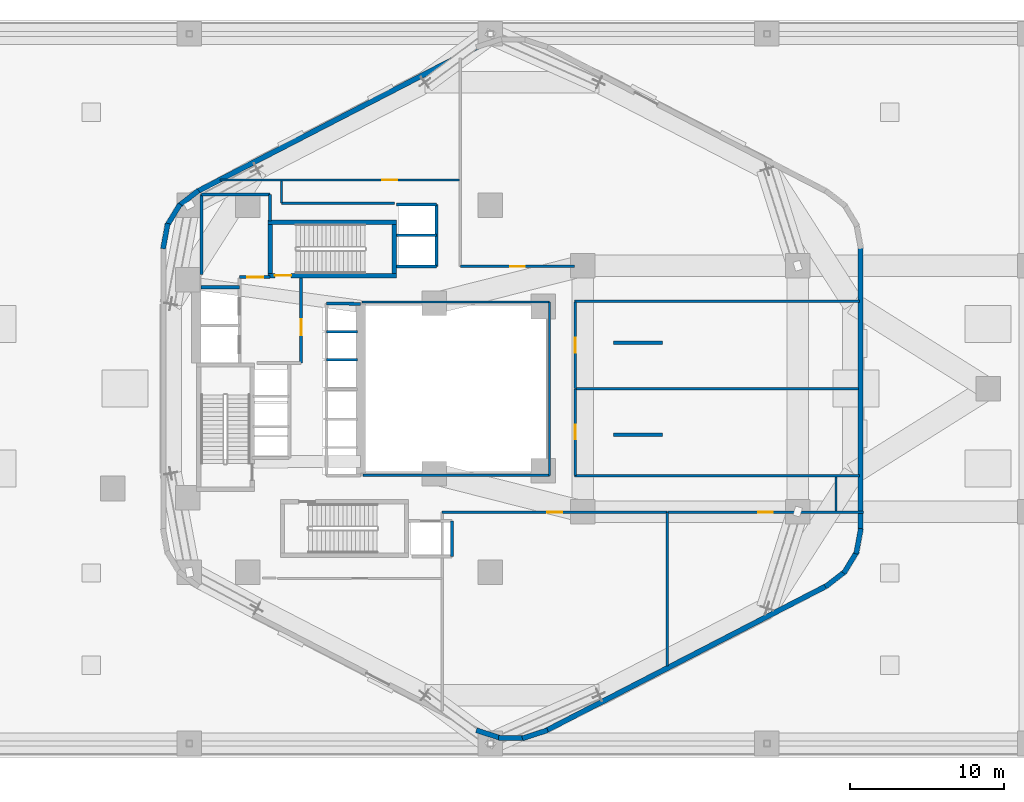
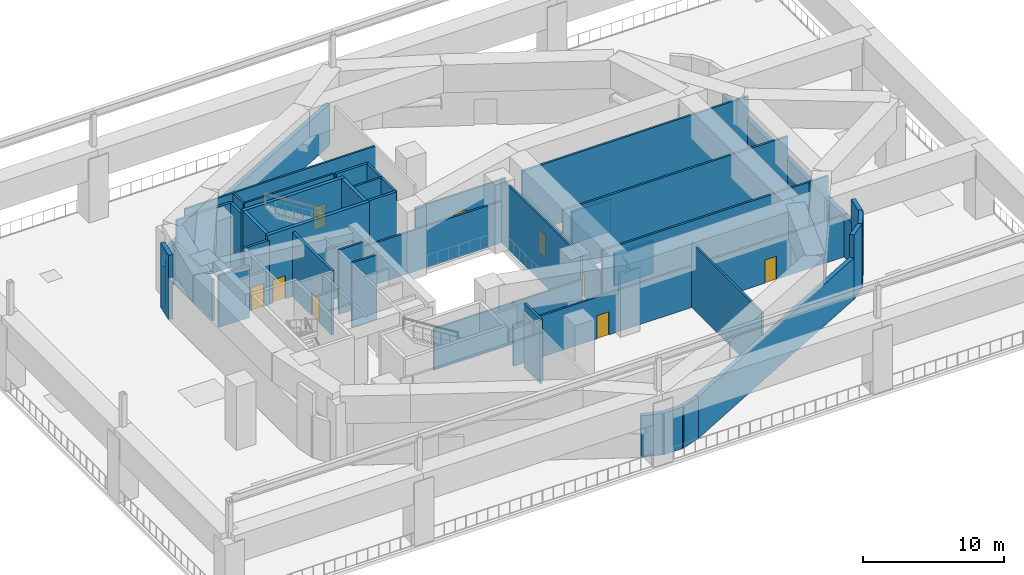
# One storey, part 10 of 15: 48 walls, 9 doors, 9 openings.
"""IFC4 building model written with IfcOpenShell, lengths in metres."""

from ifc_helpers import new_model, si_unit, direction, frame, frame_2d, origin, place, context, subcontext, project, spatial, rectangle, extrude, material, layer, layer_set, type_object, element, fill, save


model = new_model("IFC4")

# Units and contexts
model_context = context("Model", 3, precision=1e-05, world=origin(), true_north=direction((0.0, 1.0)))
body_context = subcontext(model_context, "Body", "Model", "MODEL_VIEW")
ifc_project = project(units=[si_unit("LENGTHUNIT", "METRE"), si_unit("AREAUNIT", "SQUARE_METRE"), si_unit("VOLUMEUNIT", "CUBIC_METRE"), si_unit("PLANEANGLEUNIT", "RADIAN"), si_unit("MASSUNIT", "GRAM", prefix="KILO"), si_unit("THERMODYNAMICTEMPERATUREUNIT", "KELVIN"), si_unit("POWERUNIT", "WATT")], contexts=[model_context])

# Site, building, storey
site_placement = place(None, origin())
site = spatial("IfcSite", under=ifc_project, at=site_placement, CompositionType="ELEMENT")
building_placement = place(site_placement, origin())
building = spatial("IfcBuilding", under=site, at=building_placement, Name="Skarre Station Tower", CompositionType="ELEMENT")
storey_placement = place(building_placement, frame((0.0, 0.0, 21.0)))
storey = spatial("IfcBuildingStorey", under=building, at=storey_placement, Name="L05", CompositionType="ELEMENT", Elevation=21.0)

# Walls
ifc_material_1 = material(Name="Acoustic Steel-Stud Gypsum Partition", Category="steel")
ifc_layer_1 = layer(ifc_material_1, 0.14990234375, Name="Acoustic Steel-Stud Gypsum Partition")
ifc_layer_set_1 = layer_set([ifc_layer_1], Name="Acoustic Steel-Stud Gypsum Partition")
wall_type_1 = type_object("IfcWallType", Name="Fire-Rated Corridor Acoustic Partition 150", PredefinedType="PARTITIONING", material=ifc_layer_set_1)
wall_1_placement = place(storey_placement, frame((27.699951171875, 18.360107421875, 0.0), z_axis=(0.0, 0.0, 1.0), x_axis=(1.0, 0.0, 0.0)))
element("IfcWall", 1, at=wall_1_placement, inside=storey, type_object=wall_type_1, Name="L05 Interior Partition WL-PT-L05-ATRW-S", PredefinedType="PARTITIONING", context=body_context, shape_type="SweptSolid", body=[
    extrude(rectangle(XDim=12.14013671875, YDim=0.14990234375, at=frame_2d((6.070068359375, 0.0))), origin(), (0.0, 0.0, 1.0), 3.60009765625),
])
wall_2_placement = place(storey_placement, frame((39.840087890625, 29.639892578125, 0.0), z_axis=(0.0, 0.0, 1.0), x_axis=(-1.0, 0.0, 0.0)))
element("IfcWall", 2, at=wall_2_placement, inside=storey, type_object=wall_type_1, Name="L05 Interior Partition WL-PT-L05-ATRW-N", PredefinedType="PARTITIONING", context=body_context, shape_type="SweptSolid", body=[
    extrude(rectangle(XDim=12.2001953125, YDim=0.14990234375, at=frame_2d((6.10009765625, 0.0))), origin(), (0.0, 0.0, 1.0), 3.60009765625),
])
wall_3_placement = place(storey_placement, frame((39.840087890625, 18.360107421875, 0.0), z_axis=(0.0, 0.0, 1.0), x_axis=(0.0, 1.0, 0.0)))
element("IfcWall", 3, at=wall_3_placement, inside=storey, type_object=wall_type_1, Name="L05 Interior Partition WL-PT-L05-ATRW-E", PredefinedType="PARTITIONING", context=body_context, shape_type="SweptSolid", body=[
    extrude(rectangle(XDim=11.27978515625, YDim=0.14990234375, at=frame_2d((5.639892578125, 0.0))), origin(), (0.0, 0.0, 1.0), 5.580078125),
])

# Wall, opening, door
wall_4_placement = place(storey_placement, frame((34.0, 37.580078125, 0.0), z_axis=(0.0, 0.0, 1.0), x_axis=(-1.0, 0.0, 0.0)))
wall_4 = element("IfcWall", 4, at=wall_4_placement, inside=storey, type_object=wall_type_1, Name="L05 Interior Partition WL-PT-L05-PLTNW1-CW", PredefinedType="PARTITIONING", context=body_context, shape_type="SweptSolid", body=[
    extrude(rectangle(XDim=15.60009765625, YDim=0.14990234375, at=frame_2d((7.800048828125, 0.0))), origin(), (0.0, 0.0, 1.0), 5.580078125),
])
opening_1_placement = place(wall_4_placement, frame((4.070068359375, 0.0, 0.0)))
opening_1 = element("IfcOpeningElement", 5, at=opening_1_placement, cuts=wall_4, Name="Opening DR-FD60", PredefinedType="OPENING", context=body_context, shape_type="SweptSolid", body=[
    extrude(rectangle(XDim=0.9599609375, YDim=2.0, at=frame_2d((0.47998046875, 1.0))), frame((0.0, 0.0849609375, 0.0), z_axis=(0.0, -1.0, 0.0), x_axis=(1.0, 0.0, 0.0)), (0.0, 0.0, 1.0), 0.169921875),
])
ifc_material_2 = material(Name="Nordic White-Oak Veneer Solid-Core Fire Leaf", Category="wood")
door_type_1 = type_object("IfcDoorType", Name="Corridor Suite Entry Fire Door FD60 960x2150", OperationType="SINGLE_SWING_LEFT", PredefinedType="DOOR", material=ifc_material_2)
door_1_placement = place(opening_1_placement, origin())
door_1 = element("IfcDoor", 6, at=door_1_placement, inside=storey, type_object=door_type_1, Name="L05 PLTNW1 Entry Door", OperationType="SINGLE_SWING_LEFT", OverallHeight=2.0, OverallWidth=0.9599609375, PredefinedType="DOOR", context=body_context, shape_type="SweptSolid", body=[
    extrude(rectangle(XDim=0.9599609375, YDim=2.0, at=frame_2d((0.47998046875, 1.0))), frame((0.0, 0.02490234375, 0.0), z_axis=(0.0, -1.0, 0.0), x_axis=(1.0, 0.0, 0.0)), (0.0, 0.0, 1.0), 0.050048828125),
])
fill(opening_1, door_1)

wall_5_placement = place(storey_placement, frame((41.47998046875, 31.9599609375, 0.0), z_axis=(0.0, 0.0, 1.0), x_axis=(-1.0, 0.0, 0.0)))
wall_5 = element("IfcWall", 7, at=wall_5_placement, inside=storey, type_object=wall_type_1, Name="L05 Interior Partition WL-PT-L05-PLTN1-CW", PredefinedType="PARTITIONING", context=body_context, shape_type="SweptSolid", body=[
    extrude(rectangle(XDim=7.43994140625, YDim=0.14990234375, at=frame_2d((3.719970703125, 0.0))), origin(), (0.0, 0.0, 1.0), 3.60009765625),
])
opening_2_placement = place(wall_5_placement, frame((3.239990234375, 0.0, 0.0)))
opening_2 = element("IfcOpeningElement", 8, at=opening_2_placement, cuts=wall_5, Name="Opening DR-FD60", PredefinedType="OPENING", context=body_context, shape_type="SweptSolid", body=[
    extrude(rectangle(XDim=0.9599609375, YDim=2.0, at=frame_2d((0.47998046875, 1.0))), frame((0.0, 0.0849609375, 0.0), z_axis=(0.0, -1.0, 0.0), x_axis=(1.0, 0.0, 0.0)), (0.0, 0.0, 1.0), 0.169921875),
])
door_2_placement = place(opening_2_placement, origin())
door_2 = element("IfcDoor", 9, at=door_2_placement, inside=storey, type_object=door_type_1, Name="L05 PLTN1 Entry Door", OperationType="SINGLE_SWING_LEFT", OverallHeight=2.0, OverallWidth=0.9599609375, PredefinedType="DOOR", context=body_context, shape_type="SweptSolid", body=[
    extrude(rectangle(XDim=0.9599609375, YDim=2.0, at=frame_2d((0.47998046875, 1.0))), frame((0.0, 0.02490234375, 0.0), z_axis=(0.0, -1.0, 0.0), x_axis=(1.0, 0.0, 0.0)), (0.0, 0.0, 1.0), 0.050048828125),
])
fill(opening_2, door_2)

wall_6_placement = place(storey_placement, frame((41.52001953125, 18.360107421875, 0.0), z_axis=(0.0, 0.0, 1.0), x_axis=(0.0, 1.0, 0.0)))
wall_6 = element("IfcWall", 10, at=wall_6_placement, inside=storey, type_object=wall_type_1, Name="L05 Interior Partition WL-PT-L05-PLTE1-CW", PredefinedType="PARTITIONING", context=body_context, shape_type="SweptSolid", body=[
    extrude(rectangle(XDim=5.621826171875, YDim=0.14990234375, at=frame_2d((2.81103515625, 0.0))), origin(), (0.0, 0.0, 1.0), 3.60009765625),
])
opening_3_placement = place(wall_6_placement, frame((2.3310546875, 0.0, 0.0)))
opening_3 = element("IfcOpeningElement", 11, at=opening_3_placement, cuts=wall_6, Name="Opening DR-FD60", PredefinedType="OPENING", context=body_context, shape_type="SweptSolid", body=[
    extrude(rectangle(XDim=0.9599609375, YDim=2.0, at=frame_2d((0.47998046875, 1.0))), frame((0.0, 0.0849609375, 0.0), z_axis=(0.0, -1.0, 0.0), x_axis=(1.0, 0.0, 0.0)), (0.0, 0.0, 1.0), 0.169921875),
])
door_3_placement = place(opening_3_placement, origin())
door_3 = element("IfcDoor", 12, at=door_3_placement, inside=storey, type_object=door_type_1, Name="L05 PLTE1 Entry Door", OperationType="SINGLE_SWING_LEFT", OverallHeight=2.0, OverallWidth=0.9599609375, PredefinedType="DOOR", context=body_context, shape_type="SweptSolid", body=[
    extrude(rectangle(XDim=0.9599609375, YDim=2.0, at=frame_2d((0.47998046875, 1.0))), frame((0.0, 0.02490234375, 0.0), z_axis=(0.0, -1.0, 0.0), x_axis=(1.0, 0.0, 0.0)), (0.0, 0.0, 1.0), 0.050048828125),
])
fill(opening_3, door_3)

wall_7_placement = place(storey_placement, frame((41.52001953125, 24.01806640625, 0.0), z_axis=(0.0, 0.0, 1.0), x_axis=(0.0, 1.0, 0.0)))
wall_7 = element("IfcWall", 13, at=wall_7_placement, inside=storey, type_object=wall_type_1, Name="L05 Interior Partition WL-PT-L05-PLTE2-CW", PredefinedType="PARTITIONING", context=body_context, shape_type="SweptSolid", body=[
    extrude(rectangle(XDim=5.621826171875, YDim=0.14990234375, at=frame_2d((2.81103515625, 0.0))), origin(), (0.0, 0.0, 1.0), 3.60009765625),
])
opening_4_placement = place(wall_7_placement, frame((2.3310546875, 0.0, 0.0)))
opening_4 = element("IfcOpeningElement", 14, at=opening_4_placement, cuts=wall_7, Name="Opening DR-FD60", PredefinedType="OPENING", context=body_context, shape_type="SweptSolid", body=[
    extrude(rectangle(XDim=0.9599609375, YDim=2.0, at=frame_2d((0.47998046875, 1.0))), frame((0.0, 0.0849609375, 0.0), z_axis=(0.0, -1.0, 0.0), x_axis=(1.0, 0.0, 0.0)), (0.0, 0.0, 1.0), 0.169921875),
])
door_4_placement = place(opening_4_placement, origin())
door_4 = element("IfcDoor", 15, at=door_4_placement, inside=storey, type_object=door_type_1, Name="L05 PLTE2 Entry Door", OperationType="SINGLE_SWING_LEFT", OverallHeight=2.0, OverallWidth=0.9599609375, PredefinedType="DOOR", context=body_context, shape_type="SweptSolid", body=[
    extrude(rectangle(XDim=0.9599609375, YDim=2.0, at=frame_2d((0.47998046875, 1.0))), frame((0.0, 0.02490234375, 0.0), z_axis=(0.0, -1.0, 0.0), x_axis=(1.0, 0.0, 0.0)), (0.0, 0.0, 1.0), 0.050048828125),
])
fill(opening_4, door_4)

wall_8_placement = place(storey_placement, frame((32.85009765625, 15.9599609375, 0.0), z_axis=(0.0, 0.0, 1.0), x_axis=(1.0, 0.0, 0.0)))
wall_8 = element("IfcWall", 16, at=wall_8_placement, inside=storey, type_object=wall_type_1, Name="L05 Interior Partition WL-PT-L05-PLTS1-CW", PredefinedType="PARTITIONING", context=body_context, shape_type="SweptSolid", body=[
    extrude(rectangle(XDim=14.65478515625, YDim=0.14990234375, at=frame_2d((7.327392578125, 0.0))), origin(), (0.0, 0.0, 1.0), 3.60009765625),
])
opening_5_placement = place(wall_8_placement, frame((6.847900390625, 0.0, 0.0)))
opening_5 = element("IfcOpeningElement", 17, at=opening_5_placement, cuts=wall_8, Name="Opening DR-FD60", PredefinedType="OPENING", context=body_context, shape_type="SweptSolid", body=[
    extrude(rectangle(XDim=0.9599609375, YDim=2.0, at=frame_2d((0.47998046875, 1.0))), frame((0.0, 0.0849609375, 0.0), z_axis=(0.0, -1.0, 0.0), x_axis=(1.0, 0.0, 0.0)), (0.0, 0.0, 1.0), 0.169921875),
])
door_5_placement = place(opening_5_placement, origin())
door_5 = element("IfcDoor", 18, at=door_5_placement, inside=storey, type_object=door_type_1, Name="L05 PLTS1 Entry Door", OperationType="SINGLE_SWING_LEFT", OverallHeight=2.0, OverallWidth=0.9599609375, PredefinedType="DOOR", context=body_context, shape_type="SweptSolid", body=[
    extrude(rectangle(XDim=0.9599609375, YDim=2.0, at=frame_2d((0.47998046875, 1.0))), frame((0.0, 0.02490234375, 0.0), z_axis=(0.0, -1.0, 0.0), x_axis=(1.0, 0.0, 0.0)), (0.0, 0.0, 1.0), 0.050048828125),
])
fill(opening_5, door_5)

wall_9_placement = place(storey_placement, frame((47.541015625, 15.9599609375, 0.0), z_axis=(0.0, 0.0, 1.0), x_axis=(1.0, 0.0, 0.0)))
wall_9 = element("IfcWall", 19, at=wall_9_placement, inside=storey, type_object=wall_type_1, Name="L05 Interior Partition WL-PT-L05-PLTS2-CW", PredefinedType="PARTITIONING", context=body_context, shape_type="SweptSolid", body=[
    extrude(rectangle(XDim=12.739013671875, YDim=0.14990234375, at=frame_2d((6.36962890625, 0.0))), origin(), (0.0, 0.0, 1.0), 3.60009765625),
])
opening_6_placement = place(wall_9_placement, frame((5.889892578125, 0.0, 0.0)))
opening_6 = element("IfcOpeningElement", 20, at=opening_6_placement, cuts=wall_9, Name="Opening DR-FD60", PredefinedType="OPENING", context=body_context, shape_type="SweptSolid", body=[
    extrude(rectangle(XDim=0.9599609375, YDim=2.0, at=frame_2d((0.47998046875, 1.0))), frame((0.0, 0.0849609375, 0.0), z_axis=(0.0, -1.0, 0.0), x_axis=(1.0, 0.0, 0.0)), (0.0, 0.0, 1.0), 0.169921875),
])
door_6_placement = place(opening_6_placement, origin())
door_6 = element("IfcDoor", 21, at=door_6_placement, inside=storey, type_object=door_type_1, Name="L05 PLTS2 Entry Door", OperationType="SINGLE_SWING_LEFT", OverallHeight=2.0, OverallWidth=0.9599609375, PredefinedType="DOOR", context=body_context, shape_type="SweptSolid", body=[
    extrude(rectangle(XDim=0.9599609375, YDim=2.0, at=frame_2d((0.47998046875, 1.0))), frame((0.0, 0.02490234375, 0.0), z_axis=(0.0, -1.0, 0.0), x_axis=(1.0, 0.0, 0.0)), (0.0, 0.0, 1.0), 0.050048828125),
])
fill(opening_6, door_6)

# Walls
wall_10_placement = place(storey_placement, frame((29.7529296875, 36.080078125, 0.0), z_axis=(0.0, 0.0, 1.0), x_axis=(-1.0, 0.0, 0.0)))
element("IfcWall", 22, at=wall_10_placement, inside=storey, type_object=wall_type_1, Name="L05 Interior Partition WL-PT-L05-CSEAL-2", PredefinedType="PARTITIONING", context=body_context, shape_type="SweptSolid", body=[
    extrude(rectangle(XDim=7.35302734375, YDim=0.14990234375, at=frame_2d((3.676513671875, 0.0))), origin(), (0.0, 0.0, 1.0), 5.580078125),
])
wall_11_placement = place(storey_placement, frame((22.39990234375, 36.080078125, 0.0), z_axis=(0.0, 0.0, 1.0), x_axis=(0.0, 1.0, 0.0)))
element("IfcWall", 23, at=wall_11_placement, inside=storey, type_object=wall_type_1, Name="L05 Interior Partition WL-PT-L05-CSEAL-3", PredefinedType="PARTITIONING", context=body_context, shape_type="SweptSolid", body=[
    extrude(rectangle(XDim=1.429931640625, YDim=0.14990234375, at=frame_2d((0.71484375, 0.0))), origin(), (0.0, 0.0, 1.0), 5.580078125),
])
wall_12_placement = place(storey_placement, frame((58.5, 18.241943359375, 0.0), z_axis=(0.0, 0.0, 1.0), x_axis=(0.0, -1.0, 0.0)))
element("IfcWall", 24, at=wall_12_placement, inside=storey, type_object=wall_type_1, Name="L05 Interior Partition WL-PT-L05-CSEAL-4", PredefinedType="PARTITIONING", context=body_context, shape_type="SweptSolid", body=[
    extrude(rectangle(XDim=2.2119140625, YDim=0.14990234375, at=frame_2d((1.10595703125, 0.0))), origin(), (0.0, 0.0, 1.0), 5.580078125),
])
ifc_material_3 = material(Name="Precast concrete C40/50", Category="concrete")
ifc_layer_2 = layer(ifc_material_3, 0.219970703125, Name="Precast concrete C40/50")
ifc_layer_set_2 = layer_set([ifc_layer_2], Name="Precast concrete C40/50")
wall_type_2 = type_object("IfcWallType", Name="Mechanical Acoustic Enclosure Wall 220", PredefinedType="SOLIDWALL", material=ifc_layer_set_2)
for number, where, z_axis, x_axis, name in (
    (25, (44.0, 21.0, 0.0), (0.0, 0.0, 1.0), (1.0, 0.0, 0.0), "L05 Chiller Acoustic Baffle Wall 1"),
    (26, (44.0, 27.0, 0.0), (0.0, 0.0, 1.0), (1.0, 0.0, 0.0), "L05 Chiller Acoustic Baffle Wall 2"),
):
    element("IfcWall", number, at=place(storey_placement, frame(where, z_axis=z_axis, x_axis=x_axis)), inside=storey, type_object=wall_type_2, Name=name, PredefinedType="SOLIDWALL", context=body_context, shape_type="SweptSolid", body=[
        extrude(rectangle(XDim=3.199951171875, YDim=0.219970703125, at=frame_2d((1.60009765625, 0.0))), origin(), (0.0, 0.0, 1.0), 2.800048828125),
    ])
ifc_material_4 = material(Name="Precast concrete C45/55", Category="concrete")
ifc_layer_3 = layer(ifc_material_4, 0.340087890625, Name="Precast concrete C45/55")
ifc_layer_set_3 = layer_set([ifc_layer_3], Name="Precast concrete C45/55")
wall_type_3 = type_object("IfcWallType", Name="Nordic Honed Precast Facet Wall 340", PredefinedType="STANDARD", material=ifc_layer_set_3)
for number, where, z_axis, x_axis, name in (
    (27, (16.924072265625, 36.841064453125, 0.0), (0.0, 0.0, 1.0), (0.888634413993, 0.458616264721, 0.0), "L05 Facet 1 Nordic Precast Masonry Wall"),
    (28, (57.8759765625, 11.158935546875, 0.0), (0.0, 0.0, 1.0), (-0.888634413993, -0.458616264721, 0.0), "L05 Facet 4 Nordic Precast Masonry Wall"),
):
    element("IfcWall", number, at=place(storey_placement, frame(where, z_axis=z_axis, x_axis=x_axis)), inside=storey, type_object=wall_type_3, Name=name, PredefinedType="STANDARD", context=body_context, shape_type="SweptSolid", body=[
        extrude(rectangle(XDim=20.53125, YDim=0.340087890625, at=frame_2d((10.265625, 0.0))), origin(), (0.0, 0.0, 1.0), 3.60009765625),
    ])
wall_13_placement = place(storey_placement, frame((60.093017578125, 33.201904296875, 0.0), z_axis=(0.0, 0.0, 1.0), x_axis=(0.0, -1.0, 0.0)))
element("IfcWall", 29, at=wall_13_placement, inside=storey, type_object=wall_type_3, Name="L05 Facet 5 Nordic Precast Masonry Wall", PredefinedType="STANDARD", context=body_context, shape_type="SweptSolid", body=[
    extrude(rectangle(XDim=18.40380859375, YDim=0.340087890625, at=frame_2d((9.201904296875, 0.0))), origin(), (0.0, 0.0, 1.0), 3.60009765625),
])
ifc_layer_4 = layer(ifc_material_4, 0.330078125, Name="Precast concrete C45/55")
ifc_layer_set_4 = layer_set([ifc_layer_4], Name="Precast concrete C45/55")
wall_type_4 = type_object("IfcWallType", Name="Nordic Rounded Corner Precast Wall 330", PredefinedType="STANDARD", material=ifc_layer_set_4)
wall_14_placement = place(storey_placement, frame((14.68701171875, 33.10791015625, 0.0), z_axis=(0.0, 0.0, 1.0), x_axis=(0.181714143354, 0.983351397063, 0.0)))
element("IfcWall", 30, at=wall_14_placement, inside=storey, type_object=wall_type_4, Name="L05 Rounded Corner Precast Wall F2-1", PredefinedType="STANDARD", context=body_context, shape_type="SweptSolid", body=[
    extrude(rectangle(XDim=1.677978515625, YDim=0.330078125, at=frame_2d((0.8388671875, 0.0))), origin(), (0.0, 0.0, 1.0), 5.580078125),
])
wall_15_placement = place(storey_placement, frame((14.925048828125, 34.5830078125, 0.0), z_axis=(0.0, 0.0, 1.0), x_axis=(0.520584129191, 0.853810379671, 0.0)))
element("IfcWall", 31, at=wall_15_placement, inside=storey, type_object=wall_type_4, Name="L05 Rounded Corner Precast Wall F2-2", PredefinedType="STANDARD", context=body_context, shape_type="SweptSolid", body=[
    extrude(rectangle(XDim=1.677001953125, YDim=0.330078125, at=frame_2d((0.83837890625, 0.0))), origin(), (0.0, 0.0, 1.0), 3.60009765625),
])
wall_16_placement = place(storey_placement, frame((15.673095703125, 35.875, 0.0), z_axis=(0.0, 0.0, 1.0), x_axis=(0.790691856293, 0.61221433207, 0.0)))
element("IfcWall", 32, at=wall_16_placement, inside=storey, type_object=wall_type_4, Name="L05 Rounded Corner Precast Wall F2-3", PredefinedType="STANDARD", context=body_context, shape_type="SweptSolid", body=[
    extrude(rectangle(XDim=1.67578125, YDim=0.330078125, at=frame_2d((0.837890625, 0.0))), origin(), (0.0, 0.0, 1.0), 3.60009765625),
])
wall_17_placement = place(storey_placement, frame((39.718994140625, 1.76904296875, 0.0), z_axis=(0.0, 0.0, 1.0), x_axis=(-0.94976901097, -0.312951794691, 0.0)))
element("IfcWall", 33, at=wall_17_placement, inside=storey, type_object=wall_type_4, Name="L05 Rounded Corner Precast Wall F4-1", PredefinedType="STANDARD", context=body_context, shape_type="SweptSolid", body=[
    extrude(rectangle(XDim=1.722412109375, YDim=0.330078125, at=frame_2d((0.861328125, 0.0))), origin(), (0.0, 0.0, 1.0), 3.60009765625),
])
wall_18_placement = place(storey_placement, frame((38.260986328125, 1.259033203125, 0.0), z_axis=(0.0, 0.0, 1.0), x_axis=(-1.0, 0.0, 0.0)))
element("IfcWall", 34, at=wall_18_placement, inside=storey, type_object=wall_type_4, Name="L05 Rounded Corner Precast Wall F4-2", PredefinedType="STANDARD", context=body_context, shape_type="SweptSolid", body=[
    extrude(rectangle(XDim=1.721923828125, YDim=0.330078125, at=frame_2d((0.86083984375, 0.0))), origin(), (0.0, 0.0, 1.0), 3.60009765625),
])
wall_19_placement = place(storey_placement, frame((36.717041015625, 1.22998046875, 0.0), z_axis=(0.0, 0.0, 1.0), x_axis=(-0.94976901097, 0.312951794691, 0.0)))
element("IfcWall", 35, at=wall_19_placement, inside=storey, type_object=wall_type_4, Name="L05 Rounded Corner Precast Wall F4-3", PredefinedType="STANDARD", context=body_context, shape_type="SweptSolid", body=[
    extrude(rectangle(XDim=1.722412109375, YDim=0.330078125, at=frame_2d((0.861328125, 0.0))), origin(), (0.0, 0.0, 1.0), 3.60009765625),
])
wall_20_placement = place(storey_placement, frame((60.113037109375, 14.89208984375, 0.0), z_axis=(0.0, 0.0, 1.0), x_axis=(-0.181714143354, -0.983351397063, 0.0)))
element("IfcWall", 36, at=wall_20_placement, inside=storey, type_object=wall_type_4, Name="L05 Rounded Corner Precast Wall F5-1", PredefinedType="STANDARD", context=body_context, shape_type="SweptSolid", body=[
    extrude(rectangle(XDim=1.677978515625, YDim=0.330078125, at=frame_2d((0.8388671875, 0.0))), origin(), (0.0, 0.0, 1.0), 5.580078125),
])
wall_21_placement = place(storey_placement, frame((59.875, 13.4169921875, 0.0), z_axis=(0.0, 0.0, 1.0), x_axis=(-0.520584129191, -0.853810379671, 0.0)))
element("IfcWall", 37, at=wall_21_placement, inside=storey, type_object=wall_type_4, Name="L05 Rounded Corner Precast Wall F5-2", PredefinedType="STANDARD", context=body_context, shape_type="SweptSolid", body=[
    extrude(rectangle(XDim=1.677001953125, YDim=0.330078125, at=frame_2d((0.83837890625, 0.0))), origin(), (0.0, 0.0, 1.0), 5.580078125),
])
wall_22_placement = place(storey_placement, frame((59.126953125, 12.125, 0.0), z_axis=(0.0, 0.0, 1.0), x_axis=(-0.790691856293, -0.61221433207, 0.0)))
element("IfcWall", 38, at=wall_22_placement, inside=storey, type_object=wall_type_4, Name="L05 Rounded Corner Precast Wall F5-3", PredefinedType="STANDARD", context=body_context, shape_type="SweptSolid", body=[
    extrude(rectangle(XDim=1.67578125, YDim=0.330078125, at=frame_2d((0.837890625, 0.0))), origin(), (0.0, 0.0, 1.0), 5.580078125),
])

# Wall, opening, door
ifc_material_5 = material(Name="Concrete C50/60", Category="concrete")
ifc_layer_5 = layer(ifc_material_5, 0.280029296875, Name="Concrete C50/60")
ifc_layer_set_5 = layer_set([ifc_layer_5], Name="Concrete C50/60")
wall_type_5 = type_object("IfcWallType", Name="RC Core Shear Wall 280", PredefinedType="SHEAR", material=ifc_layer_set_5)
wall_23_placement = place(storey_placement, frame((21.52001953125, 31.360107421875, 0.0), z_axis=(0.0, 0.0, 1.0), x_axis=(1.0, 0.0, 0.0)))
wall_23 = element("IfcWall", 39, at=wall_23_placement, inside=storey, type_object=wall_type_5, Name="L05 Stair ST-3 South Shear Wall", PredefinedType="SHEAR", context=body_context, shape_type="SweptSolid", body=[
    extrude(rectangle(XDim=8.35986328125, YDim=0.280029296875, at=frame_2d((4.179931640625, 0.0))), origin(), (0.0, 0.0, 1.0), 6.0),
])
opening_7_placement = place(wall_23_placement, frame((0.449951171875, 0.0, 0.0)))
opening_7 = element("IfcOpeningElement", 40, at=opening_7_placement, cuts=wall_23, Name="Opening DR-FD90", PredefinedType="OPENING", context=body_context, shape_type="SweptSolid", body=[
    extrude(rectangle(XDim=1.050048828125, YDim=2.0, at=frame_2d((0.52490234375, 1.0))), frame((0.0, 0.14990234375, 0.0), z_axis=(0.0, -1.0, 0.0), x_axis=(1.0, 0.0, 0.0)), (0.0, 0.0, 1.0), 0.300048828125),
])
ifc_material_6 = material(Name="Fire-Rated Insulated Steel Frame & Timber Core Leaf", Category="steel")
door_type_2 = type_object("IfcDoorType", Name="Stair & FSAE Lobby Fire Door FD90 1050x2150", OperationType="SINGLE_SWING_RIGHT", PredefinedType="DOOR", material=ifc_material_6)
door_7_placement = place(opening_7_placement, origin())
door_7 = element("IfcDoor", 41, at=door_7_placement, inside=storey, type_object=door_type_2, Name="L05 Stair ST-3 & FSAE Lobby Direct Exit Door", OperationType="SINGLE_SWING_LEFT", OverallHeight=2.0, OverallWidth=1.050048828125, PredefinedType="DOOR", context=body_context, shape_type="SweptSolid", body=[
    extrude(rectangle(XDim=1.050048828125, YDim=2.0, at=frame_2d((0.52490234375, 1.0))), frame((0.0, 0.02490234375, 0.0), z_axis=(0.0, -1.0, 0.0), x_axis=(1.0, 0.0, 0.0)), (0.0, 0.0, 1.0), 0.050048828125),
])
fill(opening_7, door_7)

# Walls
wall_24_placement = place(storey_placement, frame((29.8798828125, 34.840087890625, 0.0), z_axis=(0.0, 0.0, 1.0), x_axis=(-1.0, 0.0, 0.0)))
element("IfcWall", 42, at=wall_24_placement, inside=storey, type_object=wall_type_5, Name="L05 Stair ST-3 North Shear Wall", PredefinedType="SHEAR", context=body_context, shape_type="SweptSolid", body=[
    extrude(rectangle(XDim=8.35986328125, YDim=0.280029296875, at=frame_2d((4.179931640625, 0.0))), origin(), (0.0, 0.0, 1.0), 6.0),
])
for number, where, z_axis, x_axis, name in (
    (43, (21.659912109375, 34.699951171875, 0.0), (0.0, 0.0, 1.0), (0.0, -1.0, 0.0), "L05 Stair ST-3 West Shear Wall"),
    (44, (29.739990234375, 31.5, 0.0), (0.0, 0.0, 1.0), (0.0, 1.0, 0.0), "L05 Stair ST-3 East Shear Wall"),
):
    element("IfcWall", number, at=place(storey_placement, frame(where, z_axis=z_axis, x_axis=x_axis)), inside=storey, type_object=wall_type_5, Name=name, PredefinedType="SHEAR", context=body_context, shape_type="SweptSolid", body=[
        extrude(rectangle(XDim=3.199951171875, YDim=0.280029296875, at=frame_2d((1.60009765625, 0.0))), origin(), (0.0, 0.0, 1.0), 6.0),
    ])

# Wall, opening, door
ifc_material_7 = material(Name="Gypsum Concrete Shaft Assembly C30/37", Category="concrete")
ifc_layer_6 = layer(ifc_material_7, 0.199951171875, Name="Gypsum Concrete Shaft Assembly C30/37")
ifc_layer_set_6 = layer_set([ifc_layer_6], Name="Gypsum Concrete Shaft Assembly C30/37")
wall_type_6 = type_object("IfcWallType", Name="Shaft & Core Fire Partition 200", PredefinedType="PARTITIONING", material=ifc_layer_set_6)
wall_25_placement = place(storey_placement, frame((23.679931640625, 25.679931640625, 0.0), z_axis=(0.0, 0.0, 1.0), x_axis=(0.0, 1.0, 0.0)))
wall_25 = element("IfcWall", 45, at=wall_25_placement, inside=storey, type_object=wall_type_6, Name="L05 Interior Partition WL-PT-L05-FSAE-E", PredefinedType="PARTITIONING", context=body_context, shape_type="SweptSolid", body=[
    extrude(rectangle(XDim=5.5400390625, YDim=0.199951171875, at=frame_2d((2.77001953125, 0.0))), origin(), (0.0, 0.0, 1.0), 5.580078125),
])
opening_8_placement = place(wall_25_placement, frame((1.800048828125, 0.0, 0.0)))
opening_8 = element("IfcOpeningElement", 46, at=opening_8_placement, cuts=wall_25, Name="Opening DR-FD90", PredefinedType="OPENING", context=body_context, shape_type="SweptSolid", body=[
    extrude(rectangle(XDim=1.050048828125, YDim=2.0, at=frame_2d((0.52490234375, 1.0))), frame((0.0, 0.10986328125, 0.0), z_axis=(0.0, -1.0, 0.0), x_axis=(1.0, 0.0, 0.0)), (0.0, 0.0, 1.0), 0.219970703125),
])
door_8_placement = place(opening_8_placement, origin())
door_8 = element("IfcDoor", 47, at=door_8_placement, inside=storey, type_object=door_type_2, Name="L05 FSAE Lobby Fire Door", OperationType="SINGLE_SWING_RIGHT", OverallHeight=2.0, OverallWidth=1.050048828125, PredefinedType="DOOR", context=body_context, shape_type="SweptSolid", body=[
    extrude(rectangle(XDim=1.050048828125, YDim=2.0, at=frame_2d((0.52490234375, 1.0))), frame((0.0, 0.02490234375, 0.0), z_axis=(0.0, -1.0, 0.0), x_axis=(1.0, 0.0, 0.0)), (0.0, 0.0, 1.0), 0.050048828125),
])
fill(opening_8, door_8)

wall_26_placement = place(storey_placement, frame((21.659912109375, 31.260009765625, 0.0), z_axis=(0.0, 0.0, 1.0), x_axis=(-1.0, 0.0, 0.0)))
wall_26 = element("IfcWall", 48, at=wall_26_placement, inside=storey, type_object=wall_type_6, Name="L05 Interior Partition WL-PT-L05-FSAE-N", PredefinedType="PARTITIONING", context=body_context, shape_type="SweptSolid", body=[
    extrude(rectangle(XDim=2.010009765625, YDim=0.199951171875, at=frame_2d((1.0048828125, 0.0))), origin(), (0.0, 0.0, 1.0), 5.580078125),
])
opening_9_placement = place(wall_26_placement, frame((0.449951171875, 0.0, 0.0)))
opening_9 = element("IfcOpeningElement", 49, at=opening_9_placement, cuts=wall_26, Name="Opening DR-FD90", PredefinedType="OPENING", context=body_context, shape_type="SweptSolid", body=[
    extrude(rectangle(XDim=1.050048828125, YDim=2.0, at=frame_2d((0.52490234375, 1.0))), frame((0.0, 0.10986328125, 0.0), z_axis=(0.0, -1.0, 0.0), x_axis=(1.0, 0.0, 0.0)), (0.0, 0.0, 1.0), 0.219970703125),
])
door_9_placement = place(opening_9_placement, origin())
door_9 = element("IfcDoor", 50, at=door_9_placement, inside=storey, type_object=door_type_2, Name="L05 Area of Refuge Direct Stair Lobby Door", OperationType="SINGLE_SWING_LEFT", OverallHeight=2.0, OverallWidth=1.050048828125, PredefinedType="DOOR", context=body_context, shape_type="SweptSolid", body=[
    extrude(rectangle(XDim=1.050048828125, YDim=2.0, at=frame_2d((0.52490234375, 1.0))), frame((0.0, 0.02490234375, 0.0), z_axis=(0.0, -1.0, 0.0), x_axis=(1.0, 0.0, 0.0)), (0.0, 0.0, 1.0), 0.050048828125),
])
fill(opening_9, door_9)

# Walls
wall_27_placement = place(storey_placement, frame((19.64990234375, 30.60009765625, 0.0), z_axis=(0.0, 0.0, 1.0), x_axis=(-1.0, 0.0, 0.0)))
element("IfcWall", 51, at=wall_27_placement, inside=storey, type_object=wall_type_6, Name="L05 Interior Partition WL-PT-L05-FF-N", PredefinedType="PARTITIONING", context=body_context, shape_type="SweptSolid", body=[
    extrude(rectangle(XDim=2.5, YDim=0.199951171875, at=frame_2d((1.25, 0.0))), origin(), (0.0, 0.0, 1.0), 4.47998046875),
])
wall_28_placement = place(storey_placement, frame((33.5, 13.080078125, 0.0), z_axis=(0.0, 0.0, 1.0), x_axis=(0.0, 1.0, 0.0)))
element("IfcWall", 52, at=wall_28_placement, inside=storey, type_object=wall_type_6, Name="L05 Interior Partition WL-PT-L05-SV1-E", PredefinedType="PARTITIONING", context=body_context, shape_type="SweptSolid", body=[
    extrude(rectangle(XDim=2.2998046875, YDim=0.199951171875, at=frame_2d((1.14990234375, 0.0))), origin(), (0.0, 0.0, 1.0), 5.580078125),
])
wall_29_placement = place(storey_placement, frame((32.47998046875, 31.949951171875, 0.0), z_axis=(0.0, 0.0, 1.0), x_axis=(0.0, 1.0, 0.0)))
element("IfcWall", 53, at=wall_29_placement, inside=storey, type_object=wall_type_6, Name="L05 Interior Partition WL-PT-L05-EX-E", PredefinedType="PARTITIONING", context=body_context, shape_type="SweptSolid", body=[
    extrude(rectangle(XDim=4.050048828125, YDim=0.199951171875, at=frame_2d((2.02490234375, 0.0))), origin(), (0.0, 0.0, 1.0), 5.580078125),
])
for number, where, z_axis, x_axis, name in (
    (54, (29.8798828125, 36.0, 0.0), (0.0, 0.0, 1.0), (1.0, 0.0, 0.0), "L05 Interior Partition WL-PT-L05-EX-N"),
    (55, (32.47998046875, 31.949951171875, 0.0), (0.0, 0.0, 1.0), (-1.0, 0.0, 0.0), "L05 Interior Partition WL-PT-L05-EX-S"),
):
    element("IfcWall", number, at=place(storey_placement, frame(where, z_axis=z_axis, x_axis=x_axis)), inside=storey, type_object=wall_type_6, Name=name, PredefinedType="PARTITIONING", context=body_context, shape_type="SweptSolid", body=[
        extrude(rectangle(XDim=2.60009765625, YDim=0.199951171875, at=frame_2d((1.300048828125, 0.0))), origin(), (0.0, 0.0, 1.0), 5.580078125),
    ])
wall_30_placement = place(storey_placement, frame((29.875, 33.97998046875, 0.0), z_axis=(0.0, 0.0, 1.0), x_axis=(1.0, 0.0, 0.0)))
element("IfcWall", 56, at=wall_30_placement, inside=storey, type_object=wall_type_6, Name="L05 Interior Partition WL-PT-L05-EX-DIV", PredefinedType="PARTITIONING", context=body_context, shape_type="SweptSolid", body=[
    extrude(rectangle(XDim=2.60498046875, YDim=0.159912109375, at=frame_2d((1.302490234375, 0.0))), origin(), (0.0, 0.0, 1.0), 5.580078125),
])
wall_31_placement = place(storey_placement, frame((27.550048828125, 29.52001953125, 0.0), z_axis=(0.0, 0.0, 1.0), x_axis=(-0.999909343457, 0.013464949556, 0.0)))
element("IfcWall", 57, at=wall_31_placement, inside=storey, type_object=wall_type_6, Name="L05 Interior Partition WL-PT-L05-B12-N", PredefinedType="PARTITIONING", context=body_context, shape_type="SweptSolid", body=[
    extrude(rectangle(XDim=2.230224609375, YDim=0.199951171875, at=frame_2d((1.115234375, 0.0))), origin(), (0.0, 0.0, 1.0), 4.47998046875),
])
for number, where, z_axis, x_axis, name in (
    (58, (25.320068359375, 25.8701171875, 0.0), (0.0, 0.0, 1.0), (1.0, 0.0, 0.0), "L05 Interior Partition WL-PT-L05-B12-D258"),
    (59, (25.320068359375, 27.719970703125, 0.0), (0.0, 0.0, 1.0), (1.0, 0.0, 0.0), "L05 Interior Partition WL-PT-L05-B12-D277"),
):
    element("IfcWall", number, at=place(storey_placement, frame(where, z_axis=z_axis, x_axis=x_axis)), inside=storey, type_object=wall_type_6, Name=name, PredefinedType="PARTITIONING", context=body_context, shape_type="SweptSolid", body=[
        extrude(rectangle(XDim=2.030029296875, YDim=0.159912109375, at=frame_2d((1.01513671875, 0.0))), origin(), (0.0, 0.0, 1.0), 5.580078125),
    ])
wall_32_placement = place(storey_placement, frame((17.199951171875, 36.64990234375, 0.0), z_axis=(0.0, 0.0, 1.0), x_axis=(0.0, -1.0, 0.0)))
element("IfcWall", 60, at=wall_32_placement, inside=storey, type_object=wall_type_6, Name="L05 Interior Partition WL-PT-L05-REF-W", PredefinedType="PARTITIONING", context=body_context, shape_type="SweptSolid", body=[
    extrude(rectangle(XDim=5.2158203125, YDim=0.199951171875, at=frame_2d((2.60791015625, 0.0))), origin(), (0.0, 0.0, 1.0), 3.60009765625),
])
wall_33_placement = place(storey_placement, frame((21.659912109375, 36.64990234375, 0.0), z_axis=(0.0, 0.0, 1.0), x_axis=(-1.0, 0.0, 0.0)))
element("IfcWall", 61, at=wall_33_placement, inside=storey, type_object=wall_type_6, Name="L05 Interior Partition WL-PT-L05-REF-N", PredefinedType="PARTITIONING", context=body_context, shape_type="SweptSolid", body=[
    extrude(rectangle(XDim=4.4599609375, YDim=0.199951171875, at=frame_2d((2.22998046875, 0.0))), origin(), (0.0, 0.0, 1.0), 5.580078125),
])
wall_34_placement = place(storey_placement, frame((21.659912109375, 34.9150390625, 0.0), z_axis=(0.0, 0.0, 1.0), x_axis=(0.0, 1.0, 0.0)))
element("IfcWall", 62, at=wall_34_placement, inside=storey, type_object=wall_type_6, Name="L05 Interior Partition WL-PT-L05-REF-E", PredefinedType="PARTITIONING", context=body_context, shape_type="SweptSolid", body=[
    extrude(rectangle(XDim=1.73486328125, YDim=0.199951171875, at=frame_2d((0.867431640625, 0.0))), origin(), (0.0, 0.0, 1.0), 5.580078125),
])
ifc_layer_7 = layer(ifc_material_1, 0.1650390625, Name="Acoustic Steel-Stud Gypsum Partition")
ifc_layer_set_7 = layer_set([ifc_layer_7], Name="Acoustic Steel-Stud Gypsum Partition")
wall_type_7 = type_object("IfcWallType", Name="Suite Demising Acoustic Partition 165", PredefinedType="PARTITIONING", material=ifc_layer_set_7)
for number, where, z_axis, x_axis, name in (
    (63, (41.47998046875, 18.320068359375, 0.0), (0.0, 0.0, 1.0), (1.0, 0.0, 0.0), "L05 Interior Partition WL-PT-L05-PLTE-S"),
    (64, (41.47998046875, 29.679931640625, 0.0), (0.0, 0.0, 1.0), (1.0, 0.0, 0.0), "L05 Interior Partition WL-PT-L05-PLTE-N"),
):
    element("IfcWall", number, at=place(storey_placement, frame(where, z_axis=z_axis, x_axis=x_axis)), inside=storey, type_object=wall_type_7, Name=name, PredefinedType="PARTITIONING", context=body_context, shape_type="SweptSolid", body=[
        extrude(rectangle(XDim=18.532958984375, YDim=0.1650390625, at=frame_2d((9.2666015625, 0.0))), origin(), (0.0, 0.0, 1.0), 5.580078125),
    ])
wall_35_placement = place(storey_placement, frame((41.550048828125, 24.0, 0.0), z_axis=(0.0, 0.0, 1.0), x_axis=(1.0, 0.0, 0.0)))
element("IfcWall", 65, at=wall_35_placement, inside=storey, type_object=wall_type_7, Name="L05 Interior Partition WL-PT-L05-PLTE-P1", PredefinedType="PARTITIONING", context=body_context, shape_type="SweptSolid", body=[
    extrude(rectangle(XDim=18.4228515625, YDim=0.1650390625, at=frame_2d((9.21142578125, 0.0))), origin(), (0.0, 0.0, 1.0), 5.580078125),
])
wall_36_placement = place(storey_placement, frame((47.52294921875, 5.950927734375, 0.0), z_axis=(0.0, 0.0, 1.0), x_axis=(0.0, 1.0, 0.0)))
element("IfcWall", 66, at=wall_36_placement, inside=storey, type_object=wall_type_7, Name="L05 Interior Partition WL-PT-L05-PLTS-P1", PredefinedType="PARTITIONING", context=body_context, shape_type="SweptSolid", body=[
    extrude(rectangle(XDim=9.97900390625, YDim=0.1650390625, at=frame_2d((4.989501953125, 0.0))), origin(), (0.0, 0.0, 1.0), 5.580078125),
])

save(model, "model.ifc")
